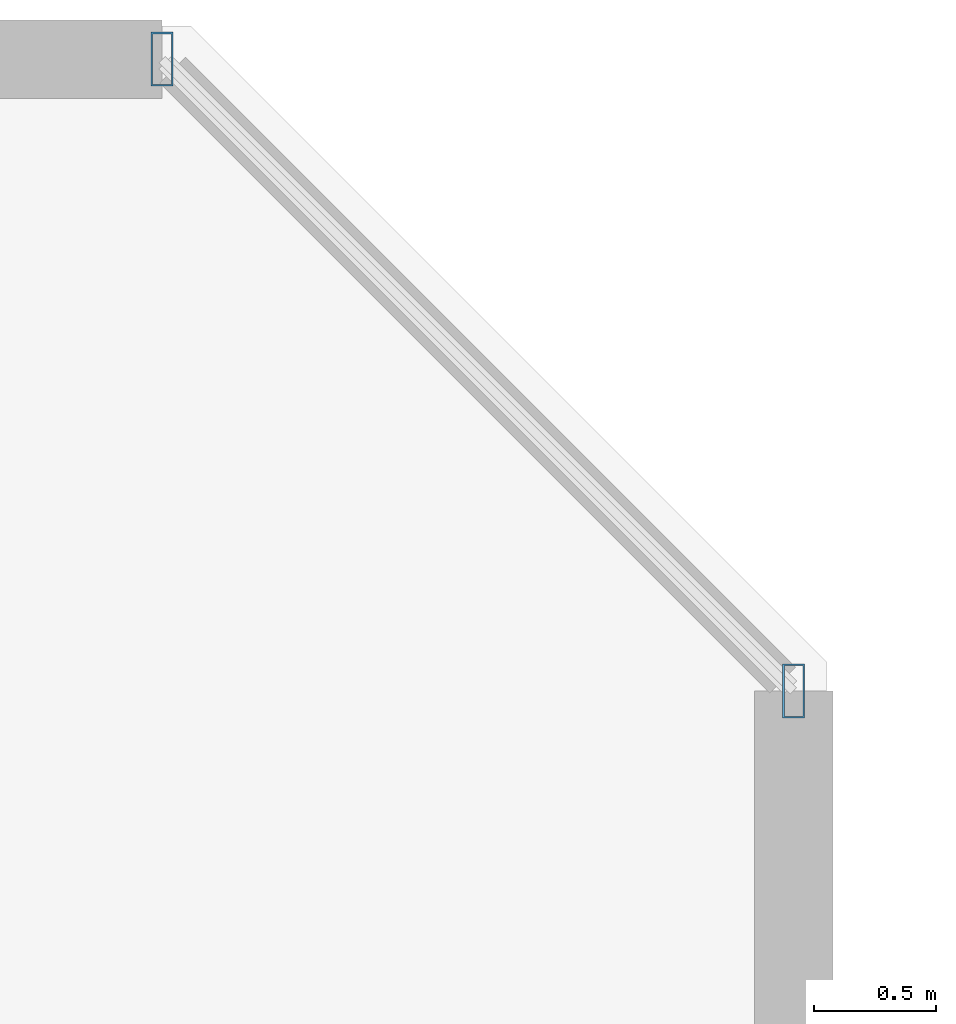
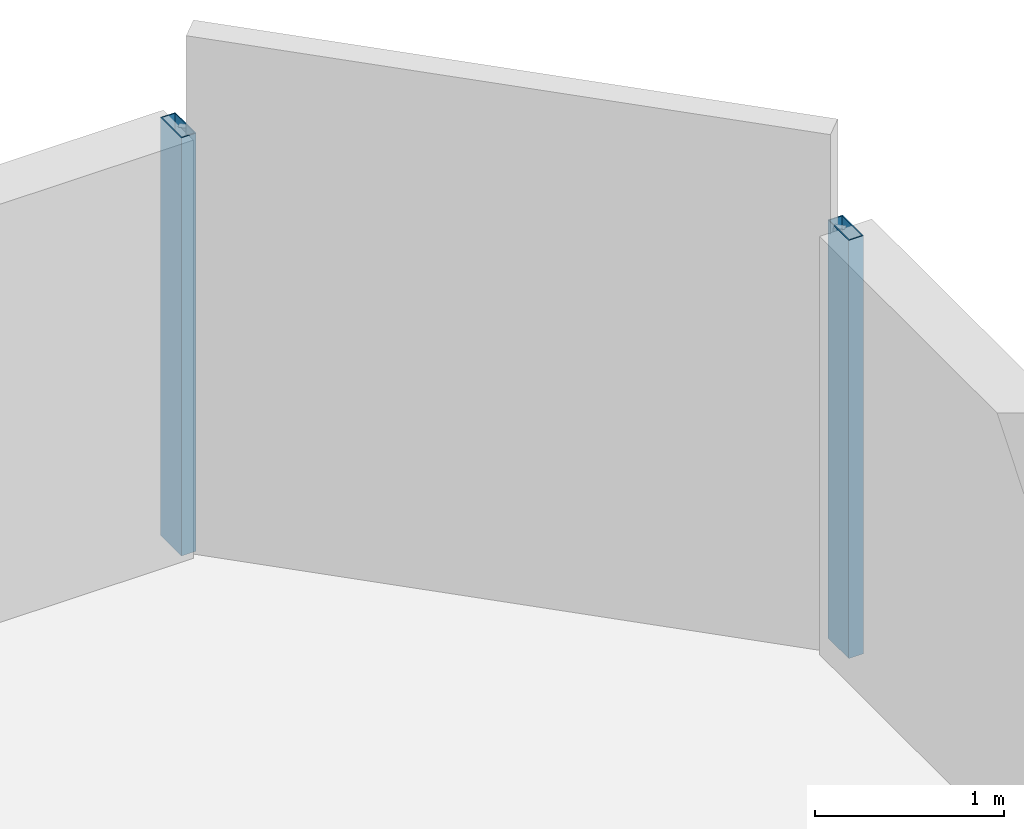
# One storey, part 16 of 33: 2 members, 1 element without a shape of its own.
"""IFC4 building model written with IfcOpenShell, lengths in metres."""

from ifc_helpers import new_model, si_unit, direction, frame, origin, origin_2d, place, context, subcontext, project, spatial, hollow_rectangle, extrude, material, material_profile, profile_set, type_object, element, aggregate, save


model = new_model("IFC4")

# Units and contexts
model_context = context("Model", 3, precision=1e-05, world=origin(), true_north=direction((0.0, 1.0)))
body_context = subcontext(model_context, "Body", "Model", "MODEL_VIEW")
ifc_project = project(units=[si_unit("LENGTHUNIT", "METRE"), si_unit("AREAUNIT", "SQUARE_METRE"), si_unit("VOLUMEUNIT", "CUBIC_METRE"), si_unit("PLANEANGLEUNIT", "RADIAN"), si_unit("MASSUNIT", "GRAM", prefix="KILO")], contexts=[model_context])

# Site, building, storey
site_placement = place(None, origin())
site = spatial("IfcSite", under=ifc_project, at=site_placement, CompositionType="ELEMENT")
building_placement = place(site_placement, origin())
building = spatial("IfcBuilding", under=site, at=building_placement, Name="Thornwick Lancets Civic Towers", CompositionType="ELEMENT")
storey_placement = place(building_placement, frame((0.0, 0.0, 35.10009765625)))
storey = spatial("IfcBuildingStorey", under=building, at=storey_placement, Name="L08", CompositionType="ELEMENT", Elevation=35.10009765625)

# Curtain wall, members
ifc_material_1 = material(Name="Low-zone chamfered-corner unitised glass curtain wall", Category="glass")
curtain_wall_type = type_object("IfcCurtainWallType", Name="CW_SYS_03", PredefinedType="NOTDEFINED", material=ifc_material_1)
curtain_wall_placement = place(storey_placement, origin())
curtain_wall = element("IfcCurtainWall", 1, at=curtain_wall_placement, inside=storey, type_object=curtain_wall_type, Name="L08 Curtain Wall CW-L08-B-E3", PredefinedType="NOTDEFINED")
ifc_material_2 = material(Name="Thermally broken bronze aluminium S355", Category="steel")
ifc_material_profile = material_profile(ifc_material_2, hollow_rectangle(XDim=0.090087890625, YDim=0.219970703125, WallThickness=0.00634765625, at=origin_2d()), Name="RHS 220x90x6.3")
ifc_profile_set = profile_set([ifc_material_profile], Name="Thermally broken bronze aluminium S355")
member_type = type_object("IfcMemberType", Name="CW_MUL_220", PredefinedType="MULLION", material=ifc_profile_set)
member_1_placement = place(storey_placement, frame((112.764892578125, 42.68115234375, 0.0), z_axis=(0.0, 0.0, 1.0), x_axis=(1.0, 0.0, 0.0)))
member_1 = element("IfcMember", 2, at=member_1_placement, type_object=member_type, Name="CW-L08-B-E3 Mullion 0", PredefinedType="MULLION", context=body_context, shape_type="SweptSolid", body=[
    extrude(hollow_rectangle(XDim=0.090087890625, YDim=0.219970703125, WallThickness=0.00634765625, at=origin_2d()), origin(), (0.0, 0.0, 1.0), 2.699951171875),
])
member_2_placement = place(storey_placement, frame((110.18115234375, 45.264892578125, 0.0), z_axis=(0.0, 0.0, 1.0), x_axis=(1.0, 0.0, 0.0)))
member_2 = element("IfcMember", 3, at=member_2_placement, type_object=member_type, Name="CW-L08-B-E3 Mullion 1", PredefinedType="MULLION", context=body_context, shape_type="SweptSolid", body=[
    extrude(hollow_rectangle(XDim=0.090087890625, YDim=0.219970703125, WallThickness=0.00634765625, at=origin_2d()), origin(), (0.0, 0.0, 1.0), 2.699951171875),
])
aggregate(curtain_wall, [member_1, member_2])

save(model, "model.ifc")
